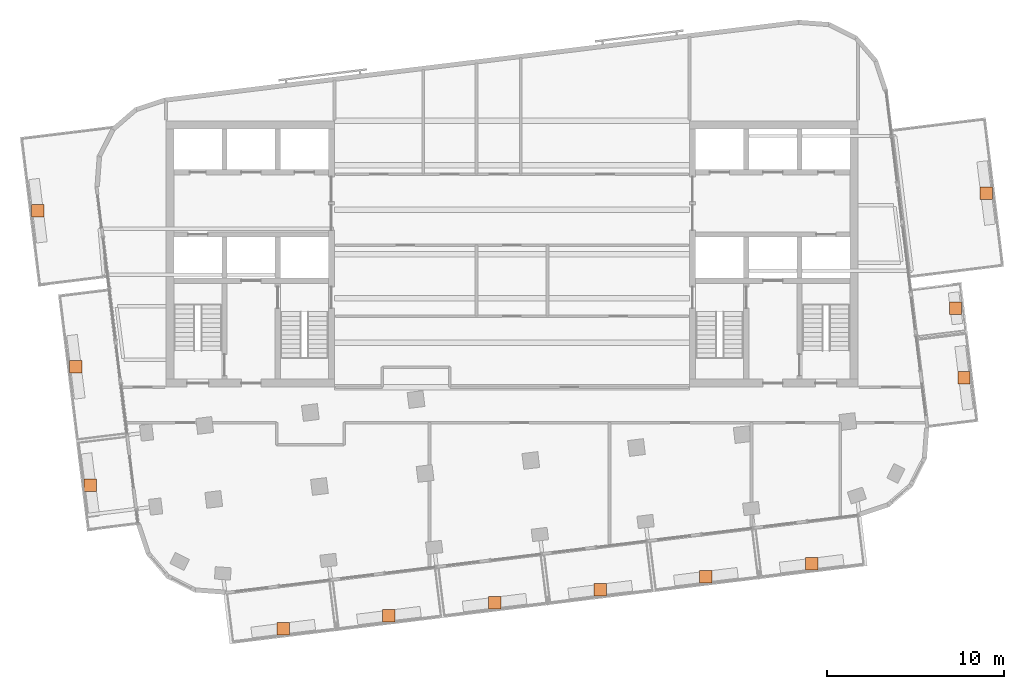
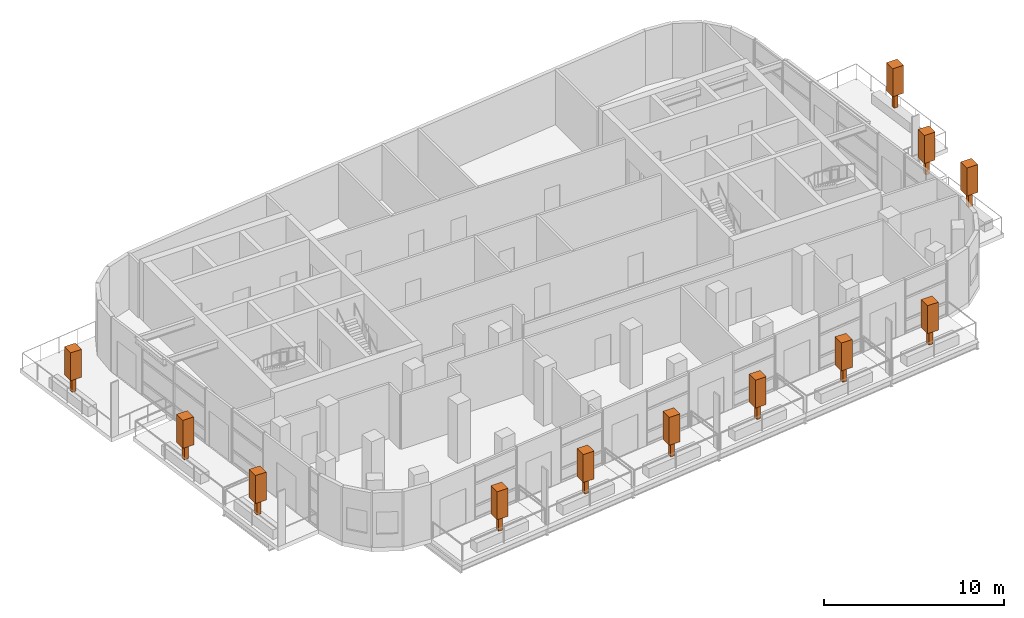
# One storey, part 14 of 14: 12 geographic elements.
"""IFC4 building model written with IfcOpenShell, lengths in metres."""

from ifc_helpers import new_model, si_unit, direction, frame, origin, origin_2d, place, context, subcontext, project, spatial, rectangle, extrude, material, element, save


model = new_model("IFC4")

# Units and contexts
model_context = context("Model", 3, precision=1e-05, world=origin(), true_north=direction((0.0, 1.0)))
body_context = subcontext(model_context, "Body", "Model", "MODEL_VIEW")
ifc_project = project(units=[si_unit("LENGTHUNIT", "METRE"), si_unit("AREAUNIT", "SQUARE_METRE"), si_unit("VOLUMEUNIT", "CUBIC_METRE"), si_unit("PLANEANGLEUNIT", "RADIAN"), si_unit("MASSUNIT", "GRAM", prefix="KILO")], contexts=[model_context])

# Site, building, storey
site_placement = place(None, origin())
site = spatial("IfcSite", under=ifc_project, at=site_placement, CompositionType="ELEMENT")
building_placement = place(site_placement, origin())
building = spatial("IfcBuilding", under=site, at=building_placement, Name="Torana Hotel and Residences", CompositionType="ELEMENT")
storey_placement = place(building_placement, frame((0.0, 0.0, 318.60009765625)))
storey = spatial("IfcBuildingStorey", under=building, at=storey_placement, Name="L84", CompositionType="ELEMENT", Elevation=318.60009765625)

# Geographic elements
ifc_material = material(Name="Foliage", Category="planting")
for number, where, z_axis, x_axis, name in (
    (1, (-12.8896484375, -28.605712890625, 0.64990234375), (0.0, 0.0, 1.0), (1.0, 0.0, 0.0), "Tree 01"),
    (2, (-6.934326171875, -27.87451171875, 0.64990234375), (0.0, 0.0, 1.0), (1.0, 0.0, 0.0), "Tree 02"),
    (3, (-0.97900390625, -27.143310546875, 0.64990234375), (0.0, 0.0, 1.0), (1.0, 0.0, 0.0), "Tree 03"),
    (4, (4.976318359375, -26.412109375, 0.64990234375), (0.0, 0.0, 1.0), (1.0, 0.0, 0.0), "Tree 04"),
    (5, (10.931396484375, -25.680908203125, 0.64990234375), (0.0, 0.0, 1.0), (1.0, 0.0, 0.0), "Tree 05"),
    (6, (16.88671875, -24.94970703125, 0.64990234375), (0.0, 0.0, 1.0), (1.0, 0.0, 0.0), "Tree 06"),
    (7, (-23.756103515625, -20.519775390625, 0.64990234375), (0.0, 0.0, 1.0), (1.0, 0.0, 0.0), "Tree 07"),
    (8, (-24.573974609375, -13.857421875, 0.64990234375), (0.0, 0.0, 1.0), (1.0, 0.0, 0.0), "Tree 08"),
    (9, (-26.71240234375, -5.058349609375, 0.64990234375), (0.0, 0.0, 1.0), (1.0, 0.0, 0.0), "Tree 09"),
    (10, (25.474365234375, -14.47509765625, 0.64990234375), (0.0, 0.0, 1.0), (1.0, 0.0, 0.0), "Tree 10"),
    (11, (24.992919921875, -10.5546875, 0.64990234375), (0.0, 0.0, 1.0), (1.0, 0.0, 0.0), "Tree 11"),
    (12, (26.71484375, -4.06494140625, 0.64990234375), (0.0, 0.0, 1.0), (1.0, 0.0, 0.0), "Tree 12"),
):
    element("IfcGeographicElement", number, at=place(storey_placement, frame(where, z_axis=z_axis, x_axis=x_axis)), inside=storey, material=ifc_material, Name=name, ObjectType="TREE", PredefinedType="USERDEFINED", context=body_context, shape_type="SweptSolid", body=[
        extrude(rectangle(XDim=0.25, YDim=0.25, at=origin_2d()), origin(), (0.0, 0.0, 1.0), 1.0),
        extrude(rectangle(XDim=0.699951171875, YDim=0.699951171875, at=origin_2d()), frame((0.0, 0.0, 1.0)), (0.0, 0.0, 1.0), 1.89990234375),
    ])

save(model, "model.ifc")
